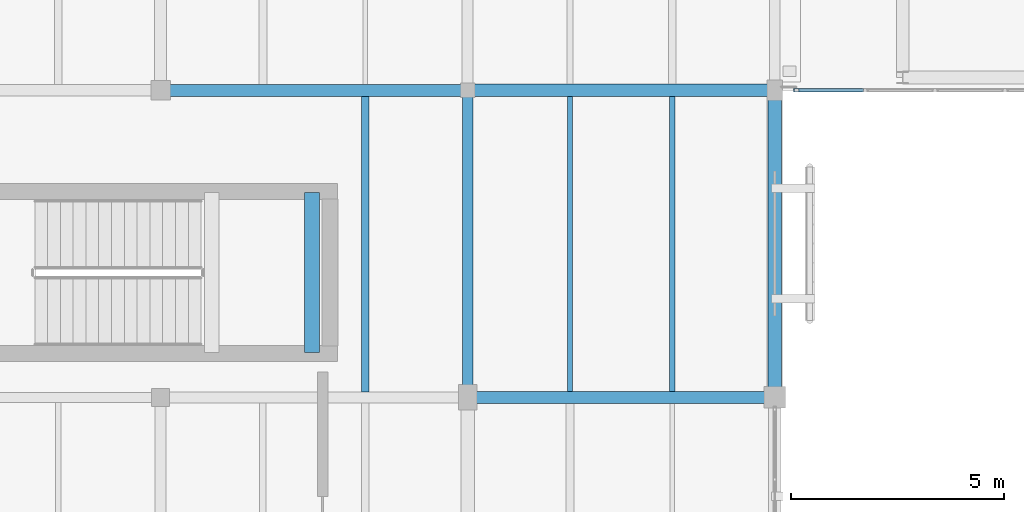
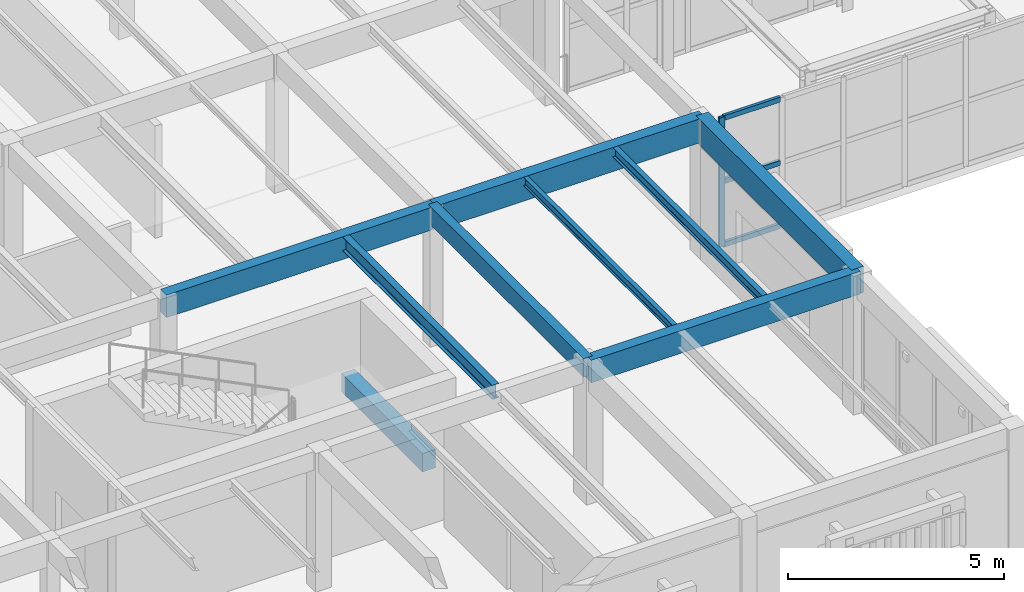
# One storey, part 17 of 112: 9 beams, 4 members, 1 element without a shape of its own.
"""IFC4 building model written with IfcOpenShell, lengths in metres."""

from ifc_helpers import new_model, si_unit, direction, frame, origin, origin_2d, place, context, subcontext, project, spatial, rectangle, hollow_rectangle, i_section, extrude, material, layer, layer_set, material_profile, profile_set, type_object, element, aggregate, save


model = new_model("IFC4")

# Units and contexts
model_context = context("Model", 3, precision=1e-05, world=origin(), true_north=direction((0.0, 1.0)))
body_context = subcontext(model_context, "Body", "Model", "MODEL_VIEW")
ifc_project = project(units=[si_unit("LENGTHUNIT", "METRE"), si_unit("AREAUNIT", "SQUARE_METRE"), si_unit("VOLUMEUNIT", "CUBIC_METRE"), si_unit("PLANEANGLEUNIT", "RADIAN"), si_unit("MASSUNIT", "GRAM", prefix="KILO")], contexts=[model_context])

# Site, building, storey
site_placement = place(None, origin())
site = spatial("IfcSite", under=ifc_project, at=site_placement, CompositionType="ELEMENT")
building_placement = place(site_placement, origin())
building = spatial("IfcBuilding", under=site, at=building_placement, Name="Mazaris Harbour Polytechnic", CompositionType="ELEMENT")
storey_placement = place(building_placement, frame((0.0, 0.0, 13.800048828125)))
storey = spatial("IfcBuildingStorey", under=building, at=storey_placement, Name="L03", CompositionType="ELEMENT", Elevation=13.800048828125)

# Curtain wall, members
ifc_material_1 = material(Name="Anodised Bronze Aluminium and Low-E Glass", Category="aluminium")
ifc_layer = layer(ifc_material_1, 0.139892578125, Name="Anodised Bronze Aluminium and Low-E Glass")
ifc_layer_set = layer_set([ifc_layer], Name="Anodised Bronze Aluminium and Low-E Glass")
curtain_wall_type = type_object("IfcCurtainWallType", Name="Seismic Link Bridge Glazing", PredefinedType="NOTDEFINED", material=ifc_layer_set)
curtain_wall_placement = place(storey_placement, origin())
curtain_wall = element("IfcCurtainWall", 1, at=curtain_wall_placement, inside=storey, type_object=curtain_wall_type, Name="PB-W1 L03 Bridge Glazing", PredefinedType="NOTDEFINED")
ifc_material_2 = material(Name="Anodised Bronze Steel S355", Category="steel")
ifc_material_profile_1 = material_profile(ifc_material_2, hollow_rectangle(XDim=0.080078125, YDim=0.139892578125, WallThickness=0.00634765625, at=origin_2d()), Name="RHS 80x140x6.3")
ifc_profile_set_1 = profile_set([ifc_material_profile_1], Name="Anodised Bronze Steel S355")
member_type_1 = type_object("IfcMemberType", Name="Curtain Mullion RHS80x140", PredefinedType="MULLION", material=ifc_profile_set_1)
member_1_placement = place(storey_placement, frame((43.719970703125, 21.60009765625, 0.0), z_axis=(0.0, 0.0, 1.0), x_axis=(0.0, 1.0, 0.0)))
member_1 = element("IfcMember", 2, at=member_1_placement, type_object=member_type_1, Name="CW-05 mullion 1", PredefinedType="MULLION", context=body_context, shape_type="SweptSolid", body=[
    extrude(hollow_rectangle(XDim=0.080078125, YDim=0.139892578125, WallThickness=0.00634765625, at=origin_2d()), origin(), (0.0, 0.0, 1.0), 3.659912109375),
])
ifc_material_3 = material(Name="Anodised Bronze Steel S355", Category="steel")
ifc_material_profile_2 = material_profile(ifc_material_3, hollow_rectangle(XDim=0.080078125, YDim=0.139892578125, WallThickness=0.00634765625, at=origin_2d()), Name="RHS 80x140x6.3")
ifc_profile_set_2 = profile_set([ifc_material_profile_2], Name="Anodised Bronze Steel S355")
member_type_2 = type_object("IfcMemberType", Name="Curtain Transom RHS80x140", PredefinedType="USERDEFINED", material=ifc_profile_set_2)
member_2_placement = place(storey_placement, frame((43.760009765625, 21.60009765625, 0.0400390625), z_axis=(1.0, 0.0, 0.0), x_axis=(0.0, 1.0, 0.0)))
member_2 = element("IfcMember", 3, at=member_2_placement, type_object=member_type_2, Name="CW-05 transom 1.1", ObjectType="TRANSOM", PredefinedType="USERDEFINED", context=body_context, shape_type="SweptSolid", body=[
    extrude(hollow_rectangle(XDim=0.080078125, YDim=0.139892578125, WallThickness=0.00634765625, at=origin_2d()), origin(), (0.0, 0.0, 1.0), 1.52001953125),
])
member_3_placement = place(storey_placement, frame((43.760009765625, 21.60009765625, 1.829833984375), z_axis=(1.0, 0.0, 0.0), x_axis=(0.0, 1.0, 0.0)))
member_3 = element("IfcMember", 4, at=member_3_placement, type_object=member_type_2, Name="CW-05 transom 1.2", ObjectType="TRANSOM", PredefinedType="USERDEFINED", context=body_context, shape_type="SweptSolid", body=[
    extrude(hollow_rectangle(XDim=0.080078125, YDim=0.139892578125, WallThickness=0.00634765625, at=origin_2d()), origin(), (0.0, 0.0, 1.0), 1.52001953125),
])
member_4_placement = place(storey_placement, frame((43.760009765625, 21.60009765625, 3.619873046875), z_axis=(1.0, 0.0, 0.0), x_axis=(0.0, 1.0, 0.0)))
member_4 = element("IfcMember", 5, at=member_4_placement, type_object=member_type_2, Name="CW-05 transom 1.3", ObjectType="TRANSOM", PredefinedType="USERDEFINED", context=body_context, shape_type="SweptSolid", body=[
    extrude(hollow_rectangle(XDim=0.080078125, YDim=0.139892578125, WallThickness=0.00634765625, at=origin_2d()), origin(), (0.0, 0.0, 1.0), 1.52001953125),
])
aggregate(curtain_wall, [member_1, member_2, member_3, member_4])

# Beams
ifc_material_4 = material(Name="Glulam GL32h", Category="wood")
ifc_material_profile_3 = material_profile(ifc_material_4, rectangle(XDim=0.239990234375, YDim=0.52001953125, at=origin_2d()), Name="RECT240x520")
ifc_profile_set_3 = profile_set([ifc_material_profile_3], Name="Glulam GL32h")
beam_type_1 = type_object("IfcBeamType", Name="Glulam Girder 240x520", PredefinedType="BEAM", material=ifc_profile_set_3)
beam_1_placement = place(storey_placement, frame((36.0, 14.39990234375, 3.659912109375), z_axis=(0.0, 1.0, 0.0), x_axis=(-1.0, 0.0, 0.0)))
element("IfcBeam", 6, at=beam_1_placement, inside=storey, type_object=beam_type_1, Name="V4 L03 Tie Girder 2260", PredefinedType="BEAM", context=body_context, shape_type="SweptSolid", body=[
    extrude(rectangle(XDim=0.239990234375, YDim=0.52001953125, at=origin_2d()), origin(), (0.0, 0.0, 1.0), 7.2001953125),
])
ifc_material_5 = material(Name="Glulam GL32h", Category="wood")
ifc_material_profile_4 = material_profile(ifc_material_5, rectangle(XDim=0.280029296875, YDim=0.639892578125, at=origin_2d()), Name="RECT280x640")
ifc_profile_set_4 = profile_set([ifc_material_profile_4], Name="Glulam GL32h")
beam_type_2 = type_object("IfcBeamType", Name="Glulam Girder 280x640", PredefinedType="BEAM", material=ifc_profile_set_4)
for number, where, z_axis, x_axis, name in (
    (7, (36.0, 14.39990234375, 3.599853515625), (1.0, 0.0, 0.0), (0.0, 1.0, 0.0), "V4 L03 Girder 2177"),
    (8, (28.800048828125, 21.60009765625, 3.599853515625), (1.0, 0.0, 0.0), (0.0, 1.0, 0.0), "V4 L03 Girder 2182"),
):
    element("IfcBeam", number, at=place(storey_placement, frame(where, z_axis=z_axis, x_axis=x_axis)), inside=storey, type_object=beam_type_2, Name=name, PredefinedType="BEAM", context=body_context, shape_type="SweptSolid", body=[
        extrude(rectangle(XDim=0.280029296875, YDim=0.639892578125, at=origin_2d()), origin(), (0.0, 0.0, 1.0), 7.199951171875),
    ])
ifc_material_6 = material(Name="Glulam GL32h", Category="wood")
ifc_material_profile_5 = material_profile(ifc_material_6, rectangle(XDim=0.300048828125, YDim=0.679931640625, at=origin_2d()), Name="RECT300x680")
ifc_profile_set_5 = profile_set([ifc_material_profile_5], Name="Glulam GL32h")
beam_type_3 = type_object("IfcBeamType", Name="Glulam Girder 300x680", PredefinedType="BEAM", material=ifc_profile_set_5)
beam_2_placement = place(storey_placement, frame((36.0, 21.60009765625, 3.579833984375), z_axis=(1.0, 0.0, 0.0), x_axis=(0.0, 1.0, 0.0)))
element("IfcBeam", 9, at=beam_2_placement, inside=storey, type_object=beam_type_3, Name="V4 L03 Girder 2183", PredefinedType="BEAM", context=body_context, shape_type="SweptSolid", body=[
    extrude(rectangle(XDim=0.300048828125, YDim=0.679931640625, at=origin_2d()), origin(), (0.0, 0.0, 1.0), 7.199951171875),
])
ifc_material_7 = material(Name="Glulam GL32h", Category="wood")
ifc_material_profile_6 = material_profile(ifc_material_7, rectangle(XDim=0.320068359375, YDim=0.739990234375, at=origin_2d()), Name="RECT320x740")
ifc_profile_set_6 = profile_set([ifc_material_profile_6], Name="Glulam GL32h")
beam_type_4 = type_object("IfcBeamType", Name="Glulam Girder 320x740 Exterior", PredefinedType="BEAM", material=ifc_profile_set_6)
beam_3_placement = place(storey_placement, frame((43.199951171875, 14.39990234375, 3.550048828125), z_axis=(0.0, 1.0, 0.0), x_axis=(-1.0, 0.0, 0.0)))
element("IfcBeam", 10, at=beam_3_placement, inside=storey, type_object=beam_type_4, Name="V4 L03 Tie Girder 2269", PredefinedType="BEAM", context=body_context, shape_type="SweptSolid", body=[
    extrude(rectangle(XDim=0.320068359375, YDim=0.739990234375, at=origin_2d()), origin(), (0.0, 0.0, 1.0), 7.2001953125),
])
ifc_material_8 = material(Name="Concrete C40/50", Category="concrete")
ifc_material_profile_7 = material_profile(ifc_material_8, rectangle(XDim=0.35009765625, YDim=0.52001953125, at=origin_2d()), Name="RECT350x520")
ifc_profile_set_7 = profile_set([ifc_material_profile_7], Name="Concrete C40/50")
beam_type_5 = type_object("IfcBeamType", Name="RC Landing Bearer 350x520", PredefinedType="BEAM", material=ifc_profile_set_7)
beam_4_placement = place(storey_placement, frame((32.35009765625, 15.449951171875, 1.639892578125), z_axis=(0.0, 1.0, 0.0), x_axis=(-1.0, 0.0, 0.0)))
element("IfcBeam", 11, at=beam_4_placement, inside=storey, type_object=beam_type_5, Name="Core ST08 L03 Landing Bearer", PredefinedType="BEAM", context=body_context, shape_type="SweptSolid", body=[
    extrude(rectangle(XDim=0.35009765625, YDim=0.52001953125, at=origin_2d()), origin(), (0.0, 0.0, 1.0), 3.75),
])
ifc_material_9 = material(Name="Steel S355", Category="steel")
ifc_material_profile_8 = material_profile(ifc_material_9, i_section(OverallWidth=0.1201171875, OverallDepth=0.239990234375, WebThickness=0.006103515625, FlangeThickness=0.009765625, FilletRadius=0.014892578125, at=origin_2d()), Name="IPE 240")
ifc_profile_set_8 = profile_set([ifc_material_profile_8], Name="Steel S355")
beam_type_6 = type_object("IfcBeamType", Name="Steel Joist IPE240", PredefinedType="JOIST", material=ifc_profile_set_8)
beam_5_placement = place(storey_placement, frame((38.39990234375, 14.5400390625, 3.800048828125), z_axis=(0.0, 1.0, 0.0), x_axis=(-1.0, 0.0, 0.0)))
element("IfcBeam", 12, at=beam_5_placement, inside=storey, type_object=beam_type_6, Name="V4 L03 Floor Joist 2346", PredefinedType="JOIST", context=body_context, shape_type="SweptSolid", body=[
    extrude(i_section(OverallWidth=0.1201171875, OverallDepth=0.239990234375, WebThickness=0.006103515625, FlangeThickness=0.009765625, FilletRadius=0.014892578125, at=origin_2d()), origin(), (0.0, 0.0, 1.0), 6.909912109375),
])
ifc_material_10 = material(Name="Steel S355", Category="steel")
ifc_material_profile_9 = material_profile(ifc_material_10, i_section(OverallWidth=0.135009765625, OverallDepth=0.27001953125, WebThickness=0.006591796875, FlangeThickness=0.01025390625, FilletRadius=0.014892578125, at=origin_2d()), Name="IPE 270")
ifc_profile_set_9 = profile_set([ifc_material_profile_9], Name="Steel S355")
beam_type_7 = type_object("IfcBeamType", Name="Steel Joist IPE270", PredefinedType="JOIST", material=ifc_profile_set_9)
beam_6_placement = place(storey_placement, frame((40.800048828125, 14.5400390625, 3.784912109375), z_axis=(0.0, 1.0, 0.0), x_axis=(-1.0, 0.0, 0.0)))
element("IfcBeam", 13, at=beam_6_placement, inside=storey, type_object=beam_type_7, Name="V4 L03 Floor Joist 2347", PredefinedType="JOIST", context=body_context, shape_type="SweptSolid", body=[
    extrude(i_section(OverallWidth=0.135009765625, OverallDepth=0.27001953125, WebThickness=0.006591796875, FlangeThickness=0.01025390625, FilletRadius=0.014892578125, at=origin_2d()), origin(), (0.0, 0.0, 1.0), 6.909912109375),
])
ifc_material_11 = material(Name="Steel S355", Category="steel")
ifc_material_profile_10 = material_profile(ifc_material_11, i_section(OverallWidth=0.179931640625, OverallDepth=0.39990234375, WebThickness=0.008544921875, FlangeThickness=0.013427734375, FilletRadius=0.02099609375, at=origin_2d()), Name="IPE 400")
ifc_profile_set_10 = profile_set([ifc_material_profile_10], Name="Steel S355")
beam_type_8 = type_object("IfcBeamType", Name="Steel Joist IPE400", PredefinedType="JOIST", material=ifc_profile_set_10)
beam_7_placement = place(storey_placement, frame((33.60009765625, 14.530029296875, 3.719970703125), z_axis=(0.0, 1.0, 0.0), x_axis=(-1.0, 0.0, 0.0)))
element("IfcBeam", 14, at=beam_7_placement, inside=storey, type_object=beam_type_8, Name="V4 L03 Floor Joist 2329", PredefinedType="JOIST", context=body_context, shape_type="SweptSolid", body=[
    extrude(i_section(OverallWidth=0.179931640625, OverallDepth=0.39990234375, WebThickness=0.008544921875, FlangeThickness=0.013427734375, FilletRadius=0.02099609375, at=origin_2d()), origin(), (0.0, 0.0, 1.0), 6.929931640625),
])

save(model, "model.ifc")
